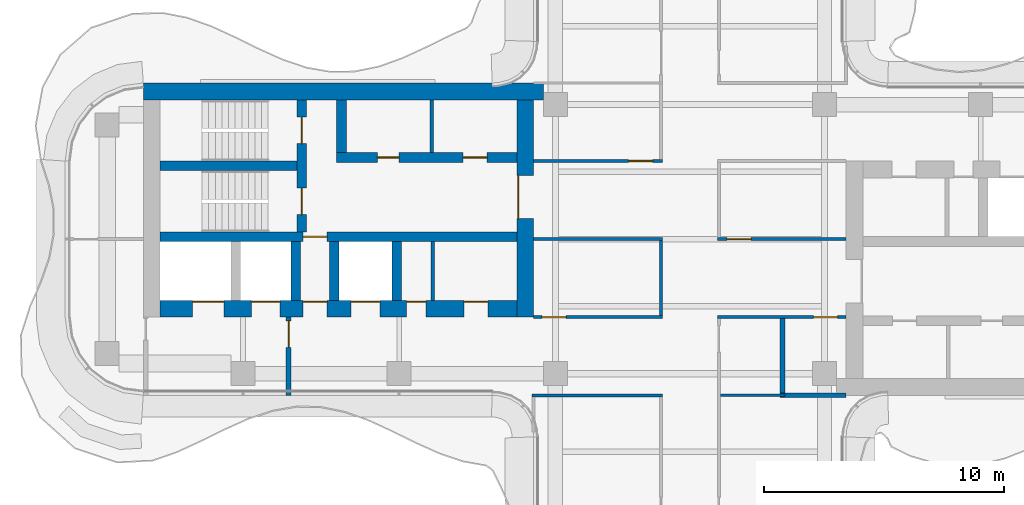
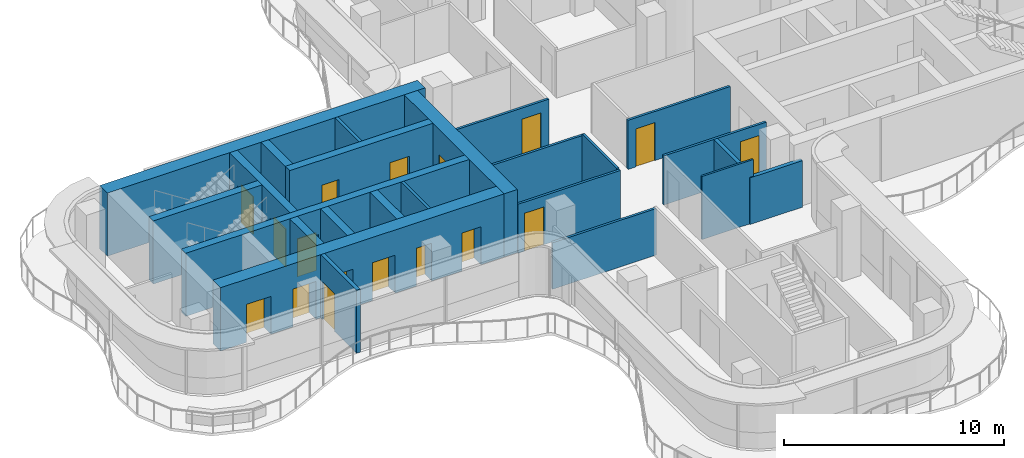
# One storey, part 11 of 15: 24 walls, 17 doors, 17 openings.
"""IFC4 building model written with IfcOpenShell, lengths in metres."""

from ifc_helpers import new_model, si_unit, direction, frame, frame_2d, origin, place, context, subcontext, project, spatial, rectangle, extrude, source, transform, mapped, material, layer, layer_set, type_object, element, fill, save


model = new_model("IFC4")

# Units and contexts
model_context = context("Model", 3, precision=1e-05, world=origin(), true_north=direction((0.0, 1.0)))
body_context = subcontext(model_context, "Body", "Model", "MODEL_VIEW")
ifc_project = project(units=[si_unit("LENGTHUNIT", "METRE"), si_unit("AREAUNIT", "SQUARE_METRE"), si_unit("VOLUMEUNIT", "CUBIC_METRE"), si_unit("PLANEANGLEUNIT", "RADIAN"), si_unit("MASSUNIT", "GRAM", prefix="KILO")], contexts=[model_context])

# Site, building, storey
site_placement = place(None, origin())
site = spatial("IfcSite", under=ifc_project, at=site_placement, CompositionType="ELEMENT")
building_placement = place(site_placement, origin())
building = spatial("IfcBuilding", under=site, at=building_placement, Name="Trellis Farm Tower", CompositionType="ELEMENT")
storey_placement = place(building_placement, frame((0.0, 0.0, 326.199951171875)))
storey = spatial("IfcBuildingStorey", under=building, at=storey_placement, Name="L74", CompositionType="ELEMENT", Elevation=326.199951171875)

# Walls
ifc_material_1 = material(Name="Lightweight blockwork, plastered", Category="masonry")
ifc_layer_1 = layer(ifc_material_1, 0.199951171875)
ifc_layer_set_1 = layer_set([ifc_layer_1], Name="BLOCK WALL 200 EI 120")
wall_type_1 = type_object("IfcWallType", Name="BLOCK WALL 200 EI 120", PredefinedType="PARTITIONING", material=ifc_layer_set_1)
wall_1_placement = place(storey_placement, frame((3.85009765625, -6.39990234375, 0.0), z_axis=(0.0, 0.0, 1.0), x_axis=(0.0, 1.0, 0.0)))
element("IfcWall", 1, at=wall_1_placement, inside=storey, type_object=wall_type_1, Name="Partition PW3", PredefinedType="PARTITIONING", context=body_context, shape_type="SweptSolid", body=[
    extrude(rectangle(XDim=3.08740234375, YDim=0.199951171875, at=frame_2d((1.543701171875, 0.0))), origin(), (0.0, 0.0, 1.0), 2.7177734375),
])
wall_2_placement = place(storey_placement, frame((3.75, -6.5, 0.0), z_axis=(0.0, 0.0, 1.0), x_axis=(1.0, 0.0, 0.0)))
element("IfcWall", 2, at=wall_2_placement, inside=storey, type_object=wall_type_1, Name="Partition PW3", PredefinedType="PARTITIONING", context=body_context, shape_type="SweptSolid", body=[
    extrude(rectangle(XDim=2.75, YDim=0.199951171875, at=frame_2d((1.375, 0.0))), origin(), (0.0, 0.0, 1.0), 2.580078125),
])
ifc_material_2 = material(Name="Plasterboard on steel studs", Category="steel")
ifc_layer_2 = layer(ifc_material_2, 0.10009765625)
ifc_layer_set_2 = layer_set([ifc_layer_2], Name="PARTITION 100 STUD EI 30")
wall_type_2 = type_object("IfcWallType", Name="PARTITION 100 STUD EI 30", PredefinedType="PARTITIONING", material=ifc_layer_set_2)
wall_3_placement = place(storey_placement, frame((1.262451171875, -6.5, 0.0), z_axis=(0.0, 0.0, 1.0), x_axis=(1.0, 0.0, 0.0)))
element("IfcWall", 3, at=wall_3_placement, inside=storey, type_object=wall_type_2, Name="Partition PW2", PredefinedType="PARTITIONING", context=body_context, shape_type="SweptSolid", body=[
    extrude(rectangle(XDim=2.6875, YDim=0.10009765625, at=frame_2d((1.34375, 0.0))), origin(), (0.0, 0.0, 1.0), 3.5),
])

# Wall, opening, door
ifc_material_3 = material(Name="Concrete C50/60", Category="concrete")
ifc_layer_3 = layer(ifc_material_3, 0.699951171875)
ifc_layer_set_3 = layer_set([ifc_layer_3], Name="CORE OUTER WALL 700 CONCRETE C50/60")
wall_type_3 = type_object("IfcWallType", Name="CORE OUTER WALL 700 CONCRETE C50/60", PredefinedType="SHEAR", material=ifc_layer_set_3)
shared_shape_1 = source(origin(), body_context, "Body", "SweptSolid", [
    extrude(rectangle(XDim=9.050048828125, YDim=0.699951171875, at=frame_2d((4.52490234375, 0.0))), origin(), (0.0, 0.0, 1.0), 3.5),
])
wall_4_placement = place(storey_placement, frame((-6.85009765625, 5.800048828125, 0.0), z_axis=(0.0, 0.0, 1.0), x_axis=(0.0, -1.0, 0.0)))
wall_4 = element("IfcWall", 4, at=wall_4_placement, inside=storey, type_object=wall_type_3, Name="Core wall", PredefinedType="SHEAR", context=body_context, shape_type="MappedRepresentation", body=[
    mapped(shared_shape_1, transform((0.0, 0.0, 0.0))),
])
shared_shape_2 = source(origin(), body_context, "Body", "SweptSolid", [
    extrude(rectangle(XDim=1.800048828125, YDim=2.10009765625, at=frame_2d((0.89990234375, 1.050048828125))), frame((0.0, 0.360107421875, 0.0), z_axis=(0.0, -1.0, 0.0), x_axis=(1.0, 0.0, 0.0)), (0.0, 0.0, 1.0), 0.72021484375),
])
opening_1_placement = place(wall_4_placement, frame((3.14990234375, 0.0, 0.0)))
opening_1 = element("IfcOpeningElement", 5, at=opening_1_placement, cuts=wall_4, Name="Opening DC87", PredefinedType="OPENING", context=body_context, shape_type="MappedRepresentation", body=[
    mapped(shared_shape_2, transform((0.0, 0.0, 0.0))),
])
ifc_material_4 = material(Name="Steel", Category="steel")
door_type_1 = type_object("IfcDoorType", Name="CORE FIRE DOOR DOUBLE 1800 X 2100", OperationType="DOUBLE_DOOR_SINGLE_SWING", PredefinedType="DOOR", material=ifc_material_4)
shared_shape_3 = source(origin(), body_context, "Body", "SweptSolid", [
    extrude(rectangle(XDim=1.800048828125, YDim=2.10009765625, at=frame_2d((0.89990234375, 1.050048828125))), frame((0.0, -0.27490234375, 0.0), z_axis=(0.0, -1.0, 0.0), x_axis=(1.0, 0.0, 0.0)), (0.0, 0.0, 1.0), 0.050048828125),
])
door_1_placement = place(opening_1_placement, origin())
door_1 = element("IfcDoor", 6, at=door_1_placement, inside=storey, type_object=door_type_1, Name="Core door", OperationType="DOUBLE_DOOR_SINGLE_SWING", OverallHeight=2.10009765625, OverallWidth=1.800048828125, PredefinedType="DOOR", context=body_context, shape_type="MappedRepresentation", body=[
    mapped(shared_shape_3, transform((0.0, 0.0, 0.0))),
])
fill(opening_1, door_1)

# Walls
ifc_layer_4 = layer(ifc_material_3, 0.39990234375)
ifc_layer_set_4 = layer_set([ifc_layer_4], Name="CORE INNER WALL 400 CONCRETE C50/60")
wall_type_4 = type_object("IfcWallType", Name="CORE INNER WALL 400 CONCRETE C50/60", PredefinedType="SHEAR", material=ifc_layer_set_4)
shared_shape_4 = source(origin(), body_context, "Body", "SweptSolid", [
    extrude(rectangle(XDim=2.449951171875, YDim=0.39990234375, at=frame_2d((1.22509765625, 0.0))), origin(), (0.0, 0.0, 1.0), 3.5),
])
for number, where, z_axis, x_axis, name in (
    (7, (-12.199951171875, -0.10009765625, 0.0), (0.0, 0.0, 1.0), (0.0, -1.0, 0.0), "Core wall"),
    (8, (-14.800048828125, -0.10009765625, 0.0), (0.0, 0.0, 1.0), (0.0, -1.0, 0.0), "Core wall"),
    (9, (-16.39990234375, -0.10009765625, 0.0), (0.0, 0.0, 1.0), (0.0, -1.0, 0.0), "Core wall"),
):
    element("IfcWall", number, at=place(storey_placement, frame(where, z_axis=z_axis, x_axis=x_axis)), inside=storey, type_object=wall_type_4, Name=name, PredefinedType="SHEAR", context=body_context, shape_type="MappedRepresentation", body=[
        mapped(shared_shape_4, transform((0.0, 0.0, 0.0))),
    ])

# Wall, opening, door
ifc_material_5 = material(Name="Masonry blockwork", Category="masonry")
ifc_layer_5 = layer(ifc_material_5, 0.199951171875)
ifc_layer_set_5 = layer_set([ifc_layer_5], Name="FIRE LOBBY PARTITION 200 BLOCKWORK")
wall_type_5 = type_object("IfcWallType", Name="FIRE LOBBY PARTITION 200 BLOCKWORK", PredefinedType="PARTITIONING", material=ifc_layer_set_5)
shared_shape_5 = source(origin(), body_context, "Body", "SweptSolid", [
    extrude(rectangle(XDim=3.25, YDim=0.199951171875, at=frame_2d((1.625, 0.0))), origin(), (0.0, 0.0, 1.0), 3.5),
])
wall_5_placement = place(storey_placement, frame((-16.699951171875, -3.25, 0.0), z_axis=(0.0, 0.0, 1.0), x_axis=(0.0, -1.0, 0.0)))
wall_5 = element("IfcWall", 10, at=wall_5_placement, inside=storey, type_object=wall_type_5, Name="Fire-fighting lobby partition", PredefinedType="PARTITIONING", context=body_context, shape_type="MappedRepresentation", body=[
    mapped(shared_shape_5, transform((0.0, 0.0, 0.0))),
])
shared_shape_6 = source(origin(), body_context, "Body", "SweptSolid", [
    extrude(rectangle(XDim=1.10009765625, YDim=2.10009765625, at=frame_2d((0.550048828125, 1.050048828125))), frame((0.0, 0.110107421875, 0.0), z_axis=(0.0, -1.0, 0.0), x_axis=(1.0, 0.0, 0.0)), (0.0, 0.0, 1.0), 0.22021484375),
])
opening_2_placement = place(wall_5_placement, frame((0.14990234375, 0.0, 0.0)))
opening_2 = element("IfcOpeningElement", 11, at=opening_2_placement, cuts=wall_5, Name="Opening DC93", PredefinedType="OPENING", context=body_context, shape_type="MappedRepresentation", body=[
    mapped(shared_shape_6, transform((0.0, 0.0, 0.0))),
])
door_type_2 = type_object("IfcDoorType", Name="CORE FIRE DOOR 1100 X 2100", OperationType="NOTDEFINED", PredefinedType="DOOR", material=ifc_material_4)
shared_shape_7 = source(origin(), body_context, "Body", "SweptSolid", [
    extrude(rectangle(XDim=1.10009765625, YDim=2.10009765625, at=frame_2d((0.550048828125, 1.050048828125))), frame((0.0, 0.02490234375, 0.0), z_axis=(0.0, -1.0, 0.0), x_axis=(1.0, 0.0, 0.0)), (0.0, 0.0, 1.0), 0.050048828125),
])
door_2_placement = place(opening_2_placement, origin())
door_2 = element("IfcDoor", 12, at=door_2_placement, inside=storey, type_object=door_type_2, Name="Core door", OperationType="SINGLE_SWING_RIGHT", OverallHeight=2.10009765625, OverallWidth=1.10009765625, PredefinedType="DOOR", context=body_context, shape_type="MappedRepresentation", body=[
    mapped(shared_shape_7, transform((0.0, 0.0, 0.0))),
])
fill(opening_2, door_2)

# Wall
shared_shape_8 = source(origin(), body_context, "Body", "SweptSolid", [
    extrude(rectangle(XDim=16.64990234375, YDim=0.699951171875, at=frame_2d((8.324951171875, 0.0))), origin(), (0.0, 0.0, 1.0), 3.5),
])
wall_6_placement = place(storey_placement, frame((-6.10009765625, 6.14990234375, 0.0), z_axis=(0.0, 0.0, 1.0), x_axis=(-1.0, 0.0, 0.0)))
element("IfcWall", 13, at=wall_6_placement, inside=storey, type_object=wall_type_3, Name="Core wall", PredefinedType="SHEAR", context=body_context, shape_type="MappedRepresentation", body=[
    mapped(shared_shape_8, transform((0.0, 0.0, 0.0))),
])

# Wall, openings, doors
shared_shape_9 = source(origin(), body_context, "Body", "SweptSolid", [
    extrude(rectangle(XDim=14.85009765625, YDim=0.699951171875, at=frame_2d((7.425048828125, 0.0))), origin(), (0.0, 0.0, 1.0), 3.5),
])
wall_7_placement = place(storey_placement, frame((-7.199951171875, -2.89990234375, 0.0), z_axis=(0.0, 0.0, 1.0), x_axis=(-1.0, 0.0, 0.0)))
wall_7 = element("IfcWall", 14, at=wall_7_placement, inside=storey, type_object=wall_type_3, Name="Core wall", PredefinedType="SHEAR", context=body_context, shape_type="MappedRepresentation", body=[
    mapped(shared_shape_9, transform((0.0, 0.0, 0.0))),
])
shared_shape_10 = source(origin(), body_context, "Body", "SweptSolid", [
    extrude(rectangle(XDim=1.199951171875, YDim=2.10009765625, at=frame_2d((0.60009765625, 1.050048828125))), frame((0.0, 0.360107421875, 0.0), z_axis=(0.0, -1.0, 0.0), x_axis=(1.0, 0.0, 0.0)), (0.0, 0.0, 1.0), 0.72021484375),
])
opening_3_placement = place(wall_7_placement, frame((5.699951171875, 0.0, 0.0)))
opening_3 = element("IfcOpeningElement", 15, at=opening_3_placement, cuts=wall_7, Name="Opening LD14", PredefinedType="OPENING", context=body_context, shape_type="MappedRepresentation", body=[
    mapped(shared_shape_10, transform((0.0, 0.0, 0.0))),
])
shared_shape_11 = source(origin(), body_context, "Body", "SweptSolid", [
    extrude(rectangle(XDim=1.300048828125, YDim=2.10009765625, at=frame_2d((0.64990234375, 1.050048828125))), frame((0.0, 0.360107421875, 0.0), z_axis=(0.0, -1.0, 0.0), x_axis=(1.0, 0.0, 0.0)), (0.0, 0.0, 1.0), 0.72021484375),
])
opening_4_placement = place(wall_7_placement, frame((12.199951171875, 0.0, 0.0)))
opening_4 = element("IfcOpeningElement", 16, at=opening_4_placement, cuts=wall_7, Name="Opening LD15", PredefinedType="OPENING", context=body_context, shape_type="MappedRepresentation", body=[
    mapped(shared_shape_11, transform((0.0, 0.0, 0.0))),
])
opening_5_placement = place(wall_7_placement, frame((9.85009765625, 0.0, 0.0)))
opening_5 = element("IfcOpeningElement", 17, at=opening_5_placement, cuts=wall_7, Name="Opening LD16", PredefinedType="OPENING", context=body_context, shape_type="MappedRepresentation", body=[
    mapped(shared_shape_10, transform((0.0, 0.0, 0.0))),
])
shared_shape_12 = source(origin(), body_context, "Body", "SweptSolid", [
    extrude(rectangle(XDim=1.0, YDim=2.10009765625, at=frame_2d((0.5, 1.050048828125))), frame((0.0, 0.360107421875, 0.0), z_axis=(0.0, -1.0, 0.0), x_axis=(1.0, 0.0, 0.0)), (0.0, 0.0, 1.0), 0.72021484375),
])
opening_6_placement = place(wall_7_placement, frame((7.89990234375, 0.0, 0.0)))
opening_6 = element("IfcOpeningElement", 18, at=opening_6_placement, cuts=wall_7, Name="Opening DC92", PredefinedType="OPENING", context=body_context, shape_type="MappedRepresentation", body=[
    mapped(shared_shape_12, transform((0.0, 0.0, 0.0))),
])
opening_7_placement = place(wall_7_placement, frame((1.21240234375, 0.0, 0.0)))
opening_7 = element("IfcOpeningElement", 19, at=opening_7_placement, cuts=wall_7, Name="Opening DC99", PredefinedType="OPENING", context=body_context, shape_type="MappedRepresentation", body=[
    mapped(shared_shape_12, transform((0.0, 0.0, 0.0))),
])
shared_shape_13 = source(origin(), body_context, "Body", "SweptSolid", [
    extrude(rectangle(XDim=0.800048828125, YDim=2.10009765625, at=frame_2d((0.39990234375, 1.050048828125))), frame((0.0, 0.360107421875, 0.0), z_axis=(0.0, -1.0, 0.0), x_axis=(1.0, 0.0, 0.0)), (0.0, 0.0, 1.0), 0.72021484375),
])
opening_8_placement = place(wall_7_placement, frame((3.78759765625, 0.0, 0.0)))
opening_8 = element("IfcOpeningElement", 20, at=opening_8_placement, cuts=wall_7, Name="Opening DC102", PredefinedType="OPENING", context=body_context, shape_type="MappedRepresentation", body=[
    mapped(shared_shape_13, transform((0.0, 0.0, 0.0))),
])
door_type_3 = type_object("IfcDoorType", Name="CORE FIRE DOOR 1000 X 2100", OperationType="NOTDEFINED", PredefinedType="DOOR", material=ifc_material_4)
shared_shape_14 = source(origin(), body_context, "Body", "SweptSolid", [
    extrude(rectangle(XDim=1.0, YDim=2.10009765625, at=frame_2d((0.5, 1.050048828125))), frame((0.0, -0.27490234375, 0.0), z_axis=(0.0, -1.0, 0.0), x_axis=(1.0, 0.0, 0.0)), (0.0, 0.0, 1.0), 0.050048828125),
])
door_3_placement = place(opening_6_placement, origin())
door_3 = element("IfcDoor", 21, at=door_3_placement, inside=storey, type_object=door_type_3, Name="Core door", OperationType="SINGLE_SWING_LEFT", OverallHeight=2.10009765625, OverallWidth=1.0, PredefinedType="DOOR", context=body_context, shape_type="MappedRepresentation", body=[
    mapped(shared_shape_14, transform((0.0, 0.0, 0.0))),
])
fill(opening_6, door_3)
door_4_placement = place(opening_7_placement, origin())
door_4 = element("IfcDoor", 22, at=door_4_placement, inside=storey, type_object=door_type_3, Name="Core door", OperationType="SINGLE_SWING_LEFT", OverallHeight=2.10009765625, OverallWidth=1.0, PredefinedType="DOOR", context=body_context, shape_type="MappedRepresentation", body=[
    mapped(shared_shape_14, transform((0.0, 0.0, 0.0))),
])
fill(opening_7, door_4)
ifc_material_6 = material(Name="Stainless steel", Category="steel")
door_type_4 = type_object("IfcDoorType", Name="LIFT LANDING DOOR 1300 X 2100", OperationType="DOUBLE_DOOR_SLIDING", PredefinedType="DOOR", material=ifc_material_6)
shared_shape_15 = source(origin(), body_context, "Body", "SweptSolid", [
    extrude(rectangle(XDim=1.300048828125, YDim=2.10009765625, at=frame_2d((0.64990234375, 1.050048828125))), frame((0.0, -0.27490234375, 0.0), z_axis=(0.0, -1.0, 0.0), x_axis=(1.0, 0.0, 0.0)), (0.0, 0.0, 1.0), 0.050048828125),
])
door_5_placement = place(opening_4_placement, origin())
door_5 = element("IfcDoor", 23, at=door_5_placement, inside=storey, type_object=door_type_4, Name="Lift landing door", OperationType="DOUBLE_DOOR_SLIDING", OverallHeight=2.10009765625, OverallWidth=1.300048828125, PredefinedType="DOOR", context=body_context, shape_type="MappedRepresentation", body=[
    mapped(shared_shape_15, transform((0.0, 0.0, 0.0))),
])
fill(opening_4, door_5)
door_type_5 = type_object("IfcDoorType", Name="LIFT LANDING DOOR 1200 X 2100", OperationType="DOUBLE_DOOR_SLIDING", PredefinedType="DOOR", material=ifc_material_6)
shared_shape_16 = source(origin(), body_context, "Body", "SweptSolid", [
    extrude(rectangle(XDim=1.199951171875, YDim=2.10009765625, at=frame_2d((0.60009765625, 1.050048828125))), frame((0.0, -0.27490234375, 0.0), z_axis=(0.0, -1.0, 0.0), x_axis=(1.0, 0.0, 0.0)), (0.0, 0.0, 1.0), 0.050048828125),
])
door_6_placement = place(opening_3_placement, origin())
door_6 = element("IfcDoor", 24, at=door_6_placement, inside=storey, type_object=door_type_5, Name="Lift landing door", OperationType="DOUBLE_DOOR_SLIDING", OverallHeight=2.10009765625, OverallWidth=1.199951171875, PredefinedType="DOOR", context=body_context, shape_type="MappedRepresentation", body=[
    mapped(shared_shape_16, transform((0.0, 0.0, 0.0))),
])
fill(opening_3, door_6)
door_7_placement = place(opening_5_placement, origin())
door_7 = element("IfcDoor", 25, at=door_7_placement, inside=storey, type_object=door_type_5, Name="Lift landing door", OperationType="DOUBLE_DOOR_SLIDING", OverallHeight=2.10009765625, OverallWidth=1.199951171875, PredefinedType="DOOR", context=body_context, shape_type="MappedRepresentation", body=[
    mapped(shared_shape_16, transform((0.0, 0.0, 0.0))),
])
fill(opening_5, door_7)
door_type_6 = type_object("IfcDoorType", Name="CORE FIRE DOOR 800 X 2100", OperationType="NOTDEFINED", PredefinedType="DOOR", material=ifc_material_4)
shared_shape_17 = source(origin(), body_context, "Body", "SweptSolid", [
    extrude(rectangle(XDim=0.800048828125, YDim=2.10009765625, at=frame_2d((0.39990234375, 1.050048828125))), frame((0.0, -0.27490234375, 0.0), z_axis=(0.0, -1.0, 0.0), x_axis=(1.0, 0.0, 0.0)), (0.0, 0.0, 1.0), 0.050048828125),
])
door_8_placement = place(opening_8_placement, origin())
door_8 = element("IfcDoor", 26, at=door_8_placement, inside=storey, type_object=door_type_6, Name="Core door", OperationType="SINGLE_SWING_RIGHT", OverallHeight=2.10009765625, OverallWidth=0.800048828125, PredefinedType="DOOR", context=body_context, shape_type="MappedRepresentation", body=[
    mapped(shared_shape_17, transform((0.0, 0.0, 0.0))),
])
fill(opening_8, door_8)

shared_shape_18 = source(origin(), body_context, "Body", "SweptSolid", [
    extrude(rectangle(XDim=7.5, YDim=0.39990234375, at=frame_2d((3.75, 0.0))), origin(), (0.0, 0.0, 1.0), 3.5),
])
wall_8_placement = place(storey_placement, frame((-7.199951171875, 3.39990234375, 0.0), z_axis=(0.0, 0.0, 1.0), x_axis=(-1.0, 0.0, 0.0)))
wall_8 = element("IfcWall", 27, at=wall_8_placement, inside=storey, type_object=wall_type_4, Name="Core wall", PredefinedType="SHEAR", context=body_context, shape_type="MappedRepresentation", body=[
    mapped(shared_shape_18, transform((0.0, 0.0, 0.0))),
])
shared_shape_19 = source(origin(), body_context, "Body", "SweptSolid", [
    extrude(rectangle(XDim=1.0, YDim=2.10009765625, at=frame_2d((0.5, 1.050048828125))), frame((0.0, 0.2099609375, 0.0), z_axis=(0.0, -1.0, 0.0), x_axis=(1.0, 0.0, 0.0)), (0.0, 0.0, 1.0), 0.419921875),
])
opening_9_placement = place(wall_8_placement, frame((1.237548828125, 0.0, 0.0)))
opening_9 = element("IfcOpeningElement", 28, at=opening_9_placement, cuts=wall_8, Name="Opening DC141", PredefinedType="OPENING", context=body_context, shape_type="MappedRepresentation", body=[
    mapped(shared_shape_19, transform((0.0, 0.0, 0.0))),
])
shared_shape_20 = source(origin(), body_context, "Body", "SweptSolid", [
    extrude(rectangle(XDim=0.89990234375, YDim=2.10009765625, at=frame_2d((0.449951171875, 1.050048828125))), frame((0.0, 0.2099609375, 0.0), z_axis=(0.0, -1.0, 0.0), x_axis=(1.0, 0.0, 0.0)), (0.0, 0.0, 1.0), 0.419921875),
])
opening_10_placement = place(wall_8_placement, frame((4.91259765625, 0.0, 0.0)))
opening_10 = element("IfcOpeningElement", 29, at=opening_10_placement, cuts=wall_8, Name="Opening DC146", PredefinedType="OPENING", context=body_context, shape_type="MappedRepresentation", body=[
    mapped(shared_shape_20, transform((0.0, 0.0, 0.0))),
])
shared_shape_21 = source(origin(), body_context, "Body", "SweptSolid", [
    extrude(rectangle(XDim=1.0, YDim=2.10009765625, at=frame_2d((0.5, 1.050048828125))), frame((0.0, 0.02490234375, 0.0), z_axis=(0.0, -1.0, 0.0), x_axis=(1.0, 0.0, 0.0)), (0.0, 0.0, 1.0), 0.050048828125),
])
door_9_placement = place(opening_9_placement, origin())
door_9 = element("IfcDoor", 30, at=door_9_placement, inside=storey, type_object=door_type_3, Name="Core door", OperationType="SINGLE_SWING_LEFT", OverallHeight=2.10009765625, OverallWidth=1.0, PredefinedType="DOOR", context=body_context, shape_type="MappedRepresentation", body=[
    mapped(shared_shape_21, transform((0.0, 0.0, 0.0))),
])
fill(opening_9, door_9)
door_type_7 = type_object("IfcDoorType", Name="CORE FIRE DOOR 900 X 2100", OperationType="NOTDEFINED", PredefinedType="DOOR", material=ifc_material_4)
shared_shape_22 = source(origin(), body_context, "Body", "SweptSolid", [
    extrude(rectangle(XDim=0.89990234375, YDim=2.10009765625, at=frame_2d((0.449951171875, 1.050048828125))), frame((0.0, 0.02490234375, 0.0), z_axis=(0.0, -1.0, 0.0), x_axis=(1.0, 0.0, 0.0)), (0.0, 0.0, 1.0), 0.050048828125),
])
door_10_placement = place(opening_10_placement, origin())
door_10 = element("IfcDoor", 31, at=door_10_placement, inside=storey, type_object=door_type_7, Name="Core door", OperationType="SINGLE_SWING_RIGHT", OverallHeight=2.10009765625, OverallWidth=0.89990234375, PredefinedType="DOOR", context=body_context, shape_type="MappedRepresentation", body=[
    mapped(shared_shape_22, transform((0.0, 0.0, 0.0))),
])
fill(opening_10, door_10)

# Wall, opening, door
shared_shape_23 = source(origin(), body_context, "Body", "SweptSolid", [
    extrude(rectangle(XDim=14.85009765625, YDim=0.39990234375, at=frame_2d((7.425048828125, 0.0))), origin(), (0.0, 0.0, 1.0), 3.5),
])
wall_9_placement = place(storey_placement, frame((-7.199951171875, 0.10009765625, 0.0), z_axis=(0.0, 0.0, 1.0), x_axis=(-1.0, 0.0, 0.0)))
wall_9 = element("IfcWall", 32, at=wall_9_placement, inside=storey, type_object=wall_type_4, Name="Core wall", PredefinedType="SHEAR", context=body_context, shape_type="MappedRepresentation", body=[
    mapped(shared_shape_23, transform((0.0, 0.0, 0.0))),
])
opening_11_placement = place(wall_9_placement, frame((7.89990234375, 0.0, 0.0)))
opening_11 = element("IfcOpeningElement", 33, at=opening_11_placement, cuts=wall_9, Name="Opening DC91", PredefinedType="OPENING", context=body_context, shape_type="MappedRepresentation", body=[
    mapped(shared_shape_19, transform((0.0, 0.0, 0.0))),
])
door_11_placement = place(opening_11_placement, origin())
door_11 = element("IfcDoor", 34, at=door_11_placement, inside=storey, type_object=door_type_3, Name="Core door", OperationType="SINGLE_SWING_RIGHT", OverallHeight=2.10009765625, OverallWidth=1.0, PredefinedType="DOOR", context=body_context, shape_type="MappedRepresentation", body=[
    mapped(shared_shape_21, transform((0.0, 0.0, 0.0))),
])
fill(opening_11, door_11)

# Wall, openings, doors
shared_shape_24 = source(origin(), body_context, "Body", "SweptSolid", [
    extrude(rectangle(XDim=5.5, YDim=0.39990234375, at=frame_2d((2.75, 0.0))), origin(), (0.0, 0.0, 1.0), 3.5),
])
wall_10_placement = place(storey_placement, frame((-16.14990234375, 5.800048828125, 0.0), z_axis=(0.0, 0.0, 1.0), x_axis=(0.0, -1.0, 0.0)))
wall_10 = element("IfcWall", 35, at=wall_10_placement, inside=storey, type_object=wall_type_4, Name="Core wall", PredefinedType="SHEAR", context=body_context, shape_type="MappedRepresentation", body=[
    mapped(shared_shape_24, transform((0.0, 0.0, 0.0))),
])
shared_shape_25 = source(origin(), body_context, "Body", "SweptSolid", [
    extrude(rectangle(XDim=1.10009765625, YDim=2.10009765625, at=frame_2d((0.550048828125, 1.050048828125))), frame((0.0, 0.2099609375, 0.0), z_axis=(0.0, -1.0, 0.0), x_axis=(1.0, 0.0, 0.0)), (0.0, 0.0, 1.0), 0.419921875),
])
opening_12_placement = place(wall_10_placement, frame((0.72509765625, 0.0, 0.0)))
opening_12 = element("IfcOpeningElement", 36, at=opening_12_placement, cuts=wall_10, Name="Opening DC88", PredefinedType="OPENING", context=body_context, shape_type="MappedRepresentation", body=[
    mapped(shared_shape_25, transform((0.0, 0.0, 0.0))),
])
opening_13_placement = place(wall_10_placement, frame((3.675048828125, 0.0, 0.0)))
opening_13 = element("IfcOpeningElement", 37, at=opening_13_placement, cuts=wall_10, Name="Opening DC89", PredefinedType="OPENING", context=body_context, shape_type="MappedRepresentation", body=[
    mapped(shared_shape_25, transform((0.0, 0.0, 0.0))),
])
door_12_placement = place(opening_12_placement, origin())
door_12 = element("IfcDoor", 38, at=door_12_placement, inside=storey, type_object=door_type_2, Name="Core door", OperationType="SINGLE_SWING_RIGHT", OverallHeight=2.10009765625, OverallWidth=1.10009765625, PredefinedType="DOOR", context=body_context, shape_type="MappedRepresentation", body=[
    mapped(shared_shape_7, transform((0.0, 0.0, 0.0))),
])
fill(opening_12, door_12)
door_13_placement = place(opening_13_placement, origin())
door_13 = element("IfcDoor", 39, at=door_13_placement, inside=storey, type_object=door_type_2, Name="Core door", OperationType="SINGLE_SWING_LEFT", OverallHeight=2.10009765625, OverallWidth=1.10009765625, PredefinedType="DOOR", context=body_context, shape_type="MappedRepresentation", body=[
    mapped(shared_shape_7, transform((0.0, 0.0, 0.0))),
])
fill(opening_13, door_13)

# Walls
shared_shape_26 = source(origin(), body_context, "Body", "SweptSolid", [
    extrude(rectangle(XDim=5.699951171875, YDim=0.39990234375, at=frame_2d((2.85009765625, 0.0))), origin(), (0.0, 0.0, 1.0), 3.5),
])
wall_11_placement = place(storey_placement, frame((-16.35009765625, 3.050048828125, 0.0), z_axis=(0.0, 0.0, 1.0), x_axis=(-1.0, 0.0, 0.0)))
element("IfcWall", 40, at=wall_11_placement, inside=storey, type_object=wall_type_4, Name="Core wall", PredefinedType="SHEAR", context=body_context, shape_type="MappedRepresentation", body=[
    mapped(shared_shape_26, transform((0.0, 0.0, 0.0))),
])
shared_shape_27 = source(origin(), body_context, "Body", "SweptSolid", [
    extrude(rectangle(XDim=2.199951171875, YDim=0.39990234375, at=frame_2d((1.10009765625, 0.0))), origin(), (0.0, 0.0, 1.0), 3.5),
])
wall_12_placement = place(storey_placement, frame((-14.5, 5.800048828125, 0.0), z_axis=(0.0, 0.0, 1.0), x_axis=(0.0, -1.0, 0.0)))
element("IfcWall", 41, at=wall_12_placement, inside=storey, type_object=wall_type_4, Name="Core wall", PredefinedType="SHEAR", context=body_context, shape_type="MappedRepresentation", body=[
    mapped(shared_shape_27, transform((0.0, 0.0, 0.0))),
])
ifc_layer_6 = layer(ifc_material_5, 0.14990234375)
ifc_layer_set_6 = layer_set([ifc_layer_6], Name="CORE PARTITION 150 BLOCKWORK")
wall_type_6 = type_object("IfcWallType", Name="CORE PARTITION 150 BLOCKWORK", PredefinedType="PARTITIONING", material=ifc_layer_set_6)
shared_shape_28 = source(origin(), body_context, "Body", "SweptSolid", [
    extrude(rectangle(XDim=2.199951171875, YDim=0.14990234375, at=frame_2d((1.10009765625, 0.0))), origin(), (0.0, 0.0, 1.0), 3.5),
])
wall_13_placement = place(storey_placement, frame((-10.75, 5.800048828125, 0.0), z_axis=(0.0, 0.0, 1.0), x_axis=(0.0, -1.0, 0.0)))
element("IfcWall", 42, at=wall_13_placement, inside=storey, type_object=wall_type_6, Name="Core room partition", PredefinedType="PARTITIONING", context=body_context, shape_type="MappedRepresentation", body=[
    mapped(shared_shape_28, transform((0.0, 0.0, 0.0))),
])
shared_shape_29 = source(origin(), body_context, "Body", "SweptSolid", [
    extrude(rectangle(XDim=2.449951171875, YDim=0.14990234375, at=frame_2d((1.22509765625, 0.0))), origin(), (0.0, 0.0, 1.0), 3.5),
])
wall_14_placement = place(storey_placement, frame((-10.699951171875, -0.10009765625, 0.0), z_axis=(0.0, 0.0, 1.0), x_axis=(0.0, -1.0, 0.0)))
element("IfcWall", 43, at=wall_14_placement, inside=storey, type_object=wall_type_6, Name="Core room partition", PredefinedType="PARTITIONING", context=body_context, shape_type="MappedRepresentation", body=[
    mapped(shared_shape_29, transform((0.0, 0.0, 0.0))),
])
ifc_material_7 = material(Name="Plasterboard on steel studs, mineral wool", Category="steel")
ifc_layer_7 = layer(ifc_material_7, 0.125)
ifc_layer_set_7 = layer_set([ifc_layer_7], Name="PARTITION 125 STUD EI 60")
wall_type_7 = type_object("IfcWallType", Name="PARTITION 125 STUD EI 60", PredefinedType="PARTITIONING", material=ifc_layer_set_7)
shared_shape_30 = source(origin(), body_context, "Body", "SweptSolid", [
    extrude(rectangle(XDim=3.125, YDim=0.125, at=frame_2d((1.5625, 0.0))), origin(), (0.0, 0.0, 1.0), 2.796630859375),
])
wall_15_placement = place(storey_placement, frame((-1.199951171875, -0.0625, 0.0), z_axis=(0.0, 0.0, 1.0), x_axis=(0.0, -1.0, 0.0)))
element("IfcWall", 44, at=wall_15_placement, inside=storey, type_object=wall_type_7, Name="Partition PW1", PredefinedType="PARTITIONING", context=body_context, shape_type="MappedRepresentation", body=[
    mapped(shared_shape_30, transform((0.0, 0.0, 0.0))),
])

# Wall, opening, door
shared_shape_31 = source(origin(), body_context, "Body", "SweptSolid", [
    extrude(rectangle(XDim=5.362548828125, YDim=0.125, at=frame_2d((2.68115234375, 0.0))), origin(), (0.0, 0.0, 1.0), 2.7177734375),
])
wall_16_placement = place(storey_placement, frame((-1.137451171875, -3.25, 0.0), z_axis=(0.0, 0.0, 1.0), x_axis=(-1.0, 0.0, 0.0)))
wall_16 = element("IfcWall", 45, at=wall_16_placement, inside=storey, type_object=wall_type_7, Name="Partition PW1", PredefinedType="PARTITIONING", context=body_context, shape_type="MappedRepresentation", body=[
    mapped(shared_shape_31, transform((0.0, 0.0, 0.0))),
])
shared_shape_32 = source(origin(), body_context, "Body", "SweptSolid", [
    extrude(rectangle(XDim=1.0, YDim=2.10009765625, at=frame_2d((0.5, 1.050048828125))), frame((0.0, 0.072509765625, 0.0), z_axis=(0.0, -1.0, 0.0), x_axis=(1.0, 0.0, 0.0)), (0.0, 0.0, 1.0), 0.14501953125),
])
opening_14_placement = place(wall_16_placement, frame((4.012451171875, 0.0, 0.0)))
opening_14 = element("IfcOpeningElement", 46, at=opening_14_placement, cuts=wall_16, Name="Opening D104", PredefinedType="OPENING", context=body_context, shape_type="MappedRepresentation", body=[
    mapped(shared_shape_32, transform((0.0, 0.0, 0.0))),
])
ifc_material_8 = material(Name="Fire-rated timber door leaf in a hollow metal frame", Category="wood")
door_type_8 = type_object("IfcDoorType", Name="DOOR 1000x2100 FD30S", OperationType="NOTDEFINED", PredefinedType="DOOR", material=ifc_material_8)
door_14_placement = place(opening_14_placement, origin())
door_14 = element("IfcDoor", 47, at=door_14_placement, inside=storey, type_object=door_type_8, Name="Door D104", OperationType="SINGLE_SWING_RIGHT", OverallHeight=2.10009765625, OverallWidth=1.0, PredefinedType="DOOR", context=body_context, shape_type="MappedRepresentation", body=[
    mapped(shared_shape_21, transform((0.0, 0.0, 0.0))),
])
fill(opening_14, door_14)

wall_17_placement = place(storey_placement, frame((6.5, -3.25, 0.0), z_axis=(0.0, 0.0, 1.0), x_axis=(-1.0, 0.0, 0.0)))
wall_17 = element("IfcWall", 48, at=wall_17_placement, inside=storey, type_object=wall_type_7, Name="Partition PW1", PredefinedType="PARTITIONING", context=body_context, shape_type="MappedRepresentation", body=[
    mapped(shared_shape_31, transform((0.0, 0.0, 0.0))),
])
opening_15_placement = place(wall_17_placement, frame((0.35009765625, 0.0, 0.0)))
opening_15 = element("IfcOpeningElement", 49, at=opening_15_placement, cuts=wall_17, Name="Opening D301", PredefinedType="OPENING", context=body_context, shape_type="MappedRepresentation", body=[
    mapped(shared_shape_32, transform((0.0, 0.0, 0.0))),
])
door_type_9 = type_object("IfcDoorType", Name="DOOR 1000x2100 FD60", OperationType="NOTDEFINED", PredefinedType="DOOR", material=ifc_material_8)
door_15_placement = place(opening_15_placement, origin())
door_15 = element("IfcDoor", 50, at=door_15_placement, inside=storey, type_object=door_type_9, Name="Door D301", OperationType="SINGLE_SWING_LEFT", OverallHeight=2.10009765625, OverallWidth=1.0, PredefinedType="DOOR", context=body_context, shape_type="MappedRepresentation", body=[
    mapped(shared_shape_21, transform((0.0, 0.0, 0.0))),
])
fill(opening_15, door_15)

# Wall
wall_18_placement = place(storey_placement, frame((-1.137451171875, 0.0, 0.0), z_axis=(0.0, 0.0, 1.0), x_axis=(-1.0, 0.0, 0.0)))
element("IfcWall", 51, at=wall_18_placement, inside=storey, type_object=wall_type_7, Name="Partition PW1", PredefinedType="PARTITIONING", context=body_context, shape_type="MappedRepresentation", body=[
    mapped(shared_shape_31, transform((0.0, 0.0, 0.0))),
])

# Wall, opening, door
wall_19_placement = place(storey_placement, frame((6.5, 0.0, 0.0), z_axis=(0.0, 0.0, 1.0), x_axis=(-1.0, 0.0, 0.0)))
wall_19 = element("IfcWall", 52, at=wall_19_placement, inside=storey, type_object=wall_type_7, Name="Partition PW1", PredefinedType="PARTITIONING", context=body_context, shape_type="MappedRepresentation", body=[
    mapped(shared_shape_31, transform((0.0, 0.0, 0.0))),
])
opening_16_placement = place(wall_19_placement, frame((3.949951171875, 0.0, 0.0)))
opening_16 = element("IfcOpeningElement", 53, at=opening_16_placement, cuts=wall_19, Name="Opening D106", PredefinedType="OPENING", context=body_context, shape_type="MappedRepresentation", body=[
    mapped(shared_shape_32, transform((0.0, 0.0, 0.0))),
])
door_16_placement = place(opening_16_placement, origin())
door_16 = element("IfcDoor", 54, at=door_16_placement, inside=storey, type_object=door_type_8, Name="Door D106", OperationType="SINGLE_SWING_RIGHT", OverallHeight=2.10009765625, OverallWidth=1.0, PredefinedType="DOOR", context=body_context, shape_type="MappedRepresentation", body=[
    mapped(shared_shape_21, transform((0.0, 0.0, 0.0))),
])
fill(opening_16, door_16)

wall_20_placement = place(storey_placement, frame((-6.5, 3.25, 0.0), z_axis=(0.0, 0.0, 1.0), x_axis=(1.0, 0.0, 0.0)))
wall_20 = element("IfcWall", 55, at=wall_20_placement, inside=storey, type_object=wall_type_7, Name="Partition PW1", PredefinedType="PARTITIONING", context=body_context, shape_type="MappedRepresentation", body=[
    mapped(shared_shape_31, transform((0.0, 0.0, 0.0))),
])
opening_17_placement = place(wall_20_placement, frame((3.949951171875, 0.0, 0.0)))
opening_17 = element("IfcOpeningElement", 56, at=opening_17_placement, cuts=wall_20, Name="Opening D108", PredefinedType="OPENING", context=body_context, shape_type="MappedRepresentation", body=[
    mapped(shared_shape_32, transform((0.0, 0.0, 0.0))),
])
door_17_placement = place(opening_17_placement, origin())
door_17 = element("IfcDoor", 57, at=door_17_placement, inside=storey, type_object=door_type_8, Name="Door D108", OperationType="SINGLE_SWING_RIGHT", OverallHeight=2.10009765625, OverallWidth=1.0, PredefinedType="DOOR", context=body_context, shape_type="MappedRepresentation", body=[
    mapped(shared_shape_21, transform((0.0, 0.0, 0.0))),
])
fill(opening_17, door_17)

# Wall
shared_shape_33 = source(origin(), body_context, "Body", "SweptSolid", [
    extrude(rectangle(XDim=5.425048828125, YDim=0.125, at=frame_2d((2.71240234375, 0.0))), origin(), (0.0, 0.0, 1.0), 2.580078125),
])
wall_21_placement = place(storey_placement, frame((-1.137451171875, -6.5, 0.0), z_axis=(0.0, 0.0, 1.0), x_axis=(-1.0, 0.0, 0.0)))
element("IfcWall", 58, at=wall_21_placement, inside=storey, type_object=wall_type_7, Name="Partition PW1", PredefinedType="PARTITIONING", context=body_context, shape_type="MappedRepresentation", body=[
    mapped(shared_shape_33, transform((0.0, 0.0, 0.0))),
])

save(model, "model.ifc")
